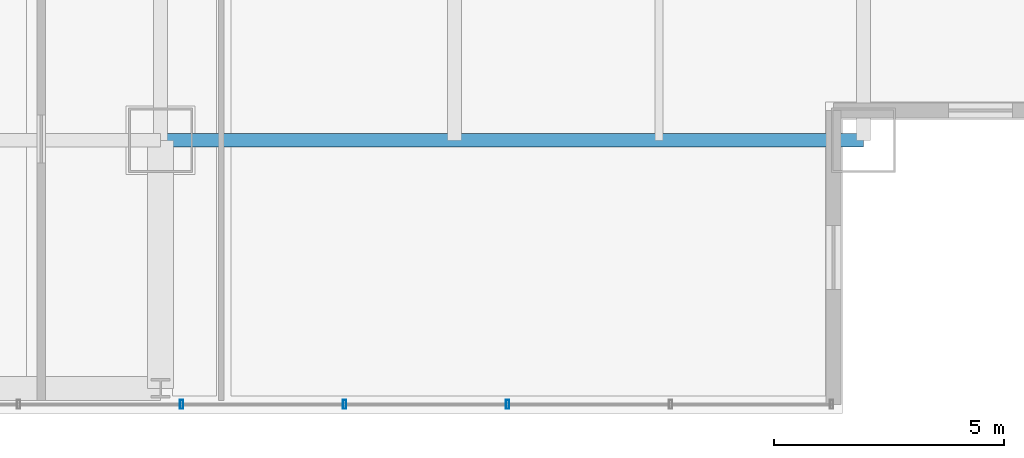
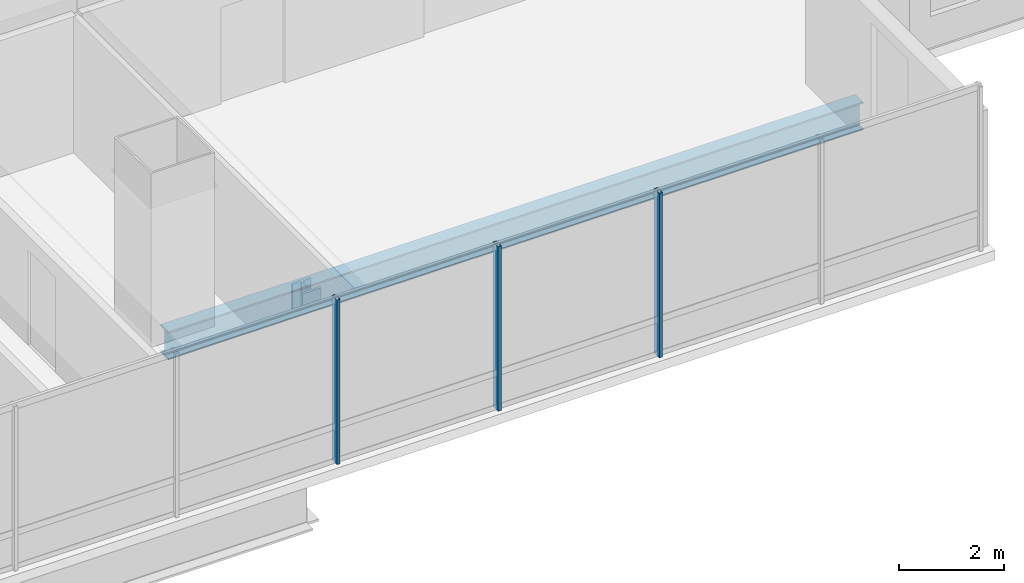
# One storey, part 7 of 36: 3 members, 1 beam, 1 element without a shape of its own.
"""IFC4 building model written with IfcOpenShell, lengths in metres."""

from ifc_helpers import new_model, si_unit, direction, frame, origin, origin_2d, place, context, subcontext, project, spatial, hollow_rectangle, i_section, extrude, material, material_profile, profile_set, type_object, element, aggregate, save


model = new_model("IFC4")

# Units and contexts
model_context = context("Model", 3, precision=1e-05, world=origin(), true_north=direction((0.0, 1.0)))
body_context = subcontext(model_context, "Body", "Model", "MODEL_VIEW")
ifc_project = project(units=[si_unit("LENGTHUNIT", "METRE"), si_unit("AREAUNIT", "SQUARE_METRE"), si_unit("VOLUMEUNIT", "CUBIC_METRE"), si_unit("PLANEANGLEUNIT", "RADIAN"), si_unit("MASSUNIT", "GRAM", prefix="KILO")], contexts=[model_context])

# Site, building, storey
site_placement = place(None, origin())
site = spatial("IfcSite", under=ifc_project, at=site_placement, CompositionType="ELEMENT")
building_placement = place(site_placement, origin())
building = spatial("IfcBuilding", under=site, at=building_placement, Name="Punatoya Terracotta Tower", CompositionType="ELEMENT")
storey_placement = place(building_placement, frame((0.0, 0.0, 228.89990234375)))
storey = spatial("IfcBuildingStorey", under=building, at=storey_placement, Name="L54", CompositionType="ELEMENT", Elevation=228.89990234375)

# Beam
ifc_material_1 = material(Name="Steel S355", Category="steel")
ifc_material_profile_1 = material_profile(ifc_material_1, i_section(OverallWidth=0.300048828125, OverallDepth=0.64990234375, WebThickness=0.01611328125, FlangeThickness=0.031005859375, FilletRadius=0.01806640625, at=origin_2d()))
ifc_profile_set_1 = profile_set([ifc_material_profile_1], Name="Steel S355")
beam_type = type_object("IfcBeamType", Name="BM-PRI-650", PredefinedType="BEAM", material=ifc_profile_set_1)
beam_placement = place(storey_placement, frame((3.800048828125, -17.5, -0.544921875), z_axis=(1.0, 0.0, 0.0), x_axis=(0.0, 1.0, 0.0)))
element("IfcBeam", 1, at=beam_placement, inside=storey, type_object=beam_type, Name="BM-L54-RG-S3", PredefinedType="BEAM", context=body_context, shape_type="SweptSolid", body=[
    extrude(i_section(OverallWidth=0.300048828125, OverallDepth=0.64990234375, WebThickness=0.01611328125, FlangeThickness=0.031005859375, FilletRadius=0.01806640625, at=origin_2d()), origin(), (0.0, 0.0, 1.0), 15.300048828125),
])

# Curtain wall, members
ifc_material_2 = material(Name="Aluminium 6063-T6 + Double Low-E Glass", Category="aluminium")
curtain_wall_type = type_object("IfcCurtainWallType", Name="CW-M2", PredefinedType="NOTDEFINED", material=ifc_material_2)
curtain_wall_placement = place(storey_placement, origin())
curtain_wall = element("IfcCurtainWall", 2, at=curtain_wall_placement, inside=storey, type_object=curtain_wall_type, Name="L54 Curtain Wall CW-L54-S01-1", PredefinedType="NOTDEFINED")
ifc_material_3 = material(Name="Aluminium 6063-T6", Category="aluminium")
ifc_material_profile_2 = material_profile(ifc_material_3, hollow_rectangle(XDim=0.072021484375, YDim=0.195068359375, WallThickness=0.00439453125, at=origin_2d()))
ifc_profile_set_2 = profile_set([ifc_material_profile_2], Name="Aluminium 6063-T6")
member_type = type_object("IfcMemberType", Name="CW-MUL-M2", PredefinedType="MULLION", material=ifc_profile_set_2)
member_1_placement = place(storey_placement, frame((4.255126953125, -23.25, 0.0), z_axis=(0.0, 0.0, 1.0), x_axis=(1.0, 0.0, 0.0)))
member_1 = element("IfcMember", 3, at=member_1_placement, type_object=member_type, Name="CW-L54-S01-1 Mullion 06", PredefinedType="MULLION", context=body_context, shape_type="SweptSolid", body=[
    extrude(hollow_rectangle(XDim=0.072021484375, YDim=0.195068359375, WallThickness=0.00439453125, at=origin_2d()), origin(), (0.0, 0.0, 1.0), 3.830078125),
])
member_2_placement = place(storey_placement, frame((7.803955078125, -23.25, 0.0), z_axis=(0.0, 0.0, 1.0), x_axis=(1.0, 0.0, 0.0)))
member_2 = element("IfcMember", 4, at=member_2_placement, type_object=member_type, Name="CW-L54-S01-1 Mullion 07", PredefinedType="MULLION", context=body_context, shape_type="SweptSolid", body=[
    extrude(hollow_rectangle(XDim=0.072021484375, YDim=0.195068359375, WallThickness=0.00439453125, at=origin_2d()), origin(), (0.0, 0.0, 1.0), 3.830078125),
])
member_3_placement = place(storey_placement, frame((11.3525390625, -23.25, 0.0), z_axis=(0.0, 0.0, 1.0), x_axis=(1.0, 0.0, 0.0)))
member_3 = element("IfcMember", 5, at=member_3_placement, type_object=member_type, Name="CW-L54-S01-1 Mullion 08", PredefinedType="MULLION", context=body_context, shape_type="SweptSolid", body=[
    extrude(hollow_rectangle(XDim=0.072021484375, YDim=0.195068359375, WallThickness=0.00439453125, at=origin_2d()), origin(), (0.0, 0.0, 1.0), 3.830078125),
])
aggregate(curtain_wall, [member_1, member_2, member_3])

save(model, "model.ifc")
